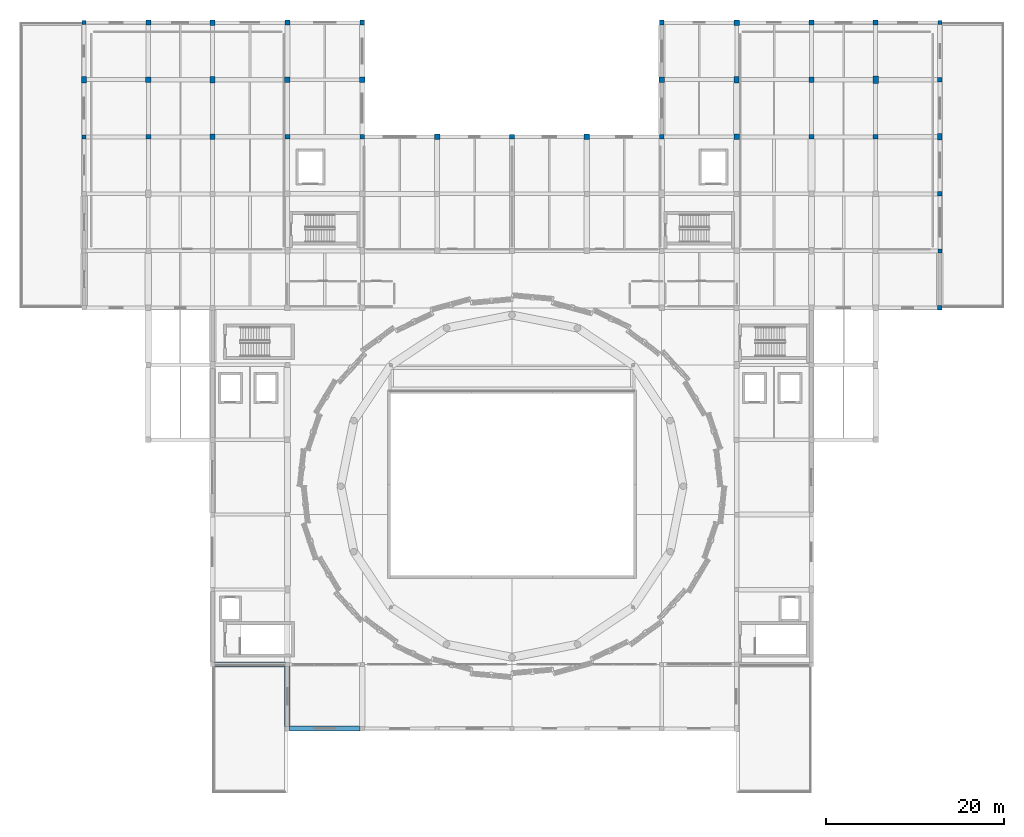
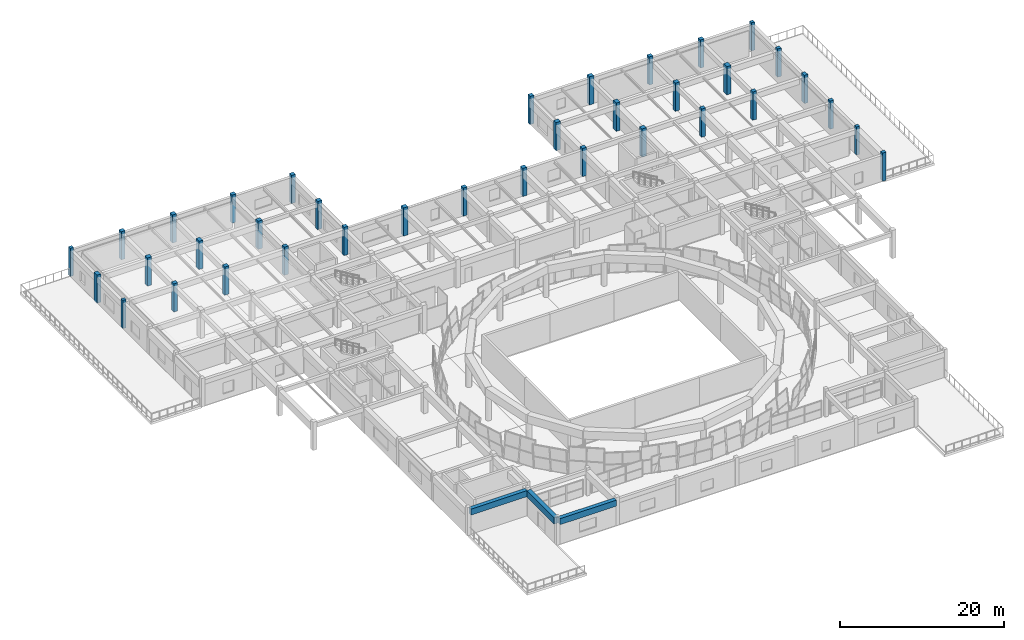
# One storey, part 6 of 40: 36 columns, 3 beams.
"""IFC4 building model written with IfcOpenShell, lengths in metres."""

from ifc_helpers import new_model, si_unit, direction, frame, origin, origin_2d, place, context, subcontext, project, spatial, rectangle, extrude, material, material_profile, profile_set, type_object, element, save


model = new_model("IFC4")

# Units and contexts
model_context = context("Model", 3, precision=1e-05, world=origin(), true_north=direction((0.0, 1.0)))
body_context = subcontext(model_context, "Body", "Model", "MODEL_VIEW")
ifc_project = project(units=[si_unit("LENGTHUNIT", "METRE"), si_unit("AREAUNIT", "SQUARE_METRE"), si_unit("VOLUMEUNIT", "CUBIC_METRE"), si_unit("PLANEANGLEUNIT", "RADIAN"), si_unit("MASSUNIT", "GRAM", prefix="KILO")], contexts=[model_context])

# Site, building, storey
site_placement = place(None, origin())
site = spatial("IfcSite", under=ifc_project, at=site_placement, CompositionType="ELEMENT")
building_placement = place(site_placement, origin())
building = spatial("IfcBuilding", under=site, at=building_placement, Name="Korsvaeld Concert Hall", CompositionType="ELEMENT")
storey_placement = place(building_placement, frame((0.0, 0.0, 13.199951171875)))
storey = spatial("IfcBuildingStorey", under=building, at=storey_placement, Name="L03", CompositionType="ELEMENT", Elevation=13.199951171875)

# Columns
ifc_material = material(Name="Concrete C40/50", Category="concrete")
ifc_material_profile_1 = material_profile(ifc_material, rectangle(XDim=0.449951171875, YDim=0.449951171875, at=origin_2d()), Name="RC 450x450")
ifc_profile_set_1 = profile_set([ifc_material_profile_1], Name="Concrete C40/50")
column_type_1 = type_object("IfcColumnType", Name="COL-RC-450x450", PredefinedType="COLUMN", material=ifc_profile_set_1)
for number, where, z_axis, x_axis, name in (
    (1, (132.0, 89.60009765625, 0.0), (0.0, 0.0, 1.0), (1.0, 0.0, 0.0), "Column 18/N L03"),
    (2, (132.0, 115.199951171875, 0.0), (0.0, 0.0, 1.0), (1.0, 0.0, 0.0), "Column 18/S L03"),
    (3, (36.0, 102.39990234375, 0.0), (0.0, 0.0, 1.0), (1.0, 0.0, 0.0), "Column 6/Q L03"),
    (4, (36.0, 115.199951171875, 0.0), (0.0, 0.0, 1.0), (1.0, 0.0, 0.0), "Column 6/S L03"),
):
    element("IfcColumn", number, at=place(storey_placement, frame(where, z_axis=z_axis, x_axis=x_axis)), inside=storey, type_object=column_type_1, Name=name, PredefinedType="COLUMN", context=body_context, shape_type="SweptSolid", body=[
        extrude(rectangle(XDim=0.449951171875, YDim=0.449951171875, at=origin_2d()), origin(), (0.0, 0.0, 1.0), 4.199951171875),
    ])
ifc_material_profile_2 = material_profile(ifc_material, rectangle(XDim=0.5, YDim=0.5, at=origin_2d()), Name="RC 500x500")
ifc_profile_set_2 = profile_set([ifc_material_profile_2], Name="Concrete C40/50")
column_type_2 = type_object("IfcColumnType", Name="COL-RC-500x500", PredefinedType="COLUMN", material=ifc_profile_set_2)
for number, where, z_axis, x_axis, name in (
    (5, (132.0, 83.199951171875, 0.0), (0.0, 0.0, 1.0), (1.0, 0.0, 0.0), "Column 18/M L03"),
    (6, (132.0, 96.0, 0.0), (0.0, 0.0, 1.0), (1.0, 0.0, 0.0), "Column 18/P L03"),
    (7, (132.0, 108.800048828125, 0.0), (0.0, 0.0, 1.0), (1.0, 0.0, 0.0), "Column 18/R L03"),
):
    element("IfcColumn", number, at=place(storey_placement, frame(where, z_axis=z_axis, x_axis=x_axis)), inside=storey, type_object=column_type_2, Name=name, PredefinedType="COLUMN", context=body_context, shape_type="SweptSolid", body=[
        extrude(rectangle(XDim=0.5, YDim=0.5, at=origin_2d()), origin(), (0.0, 0.0, 1.0), 4.199951171875),
    ])
ifc_material_profile_3 = material_profile(ifc_material, rectangle(XDim=0.5, YDim=0.699951171875, at=origin_2d()), Name="RC 500x700")
ifc_profile_set_3 = profile_set([ifc_material_profile_3], Name="Concrete C40/50")
column_type_3 = type_object("IfcColumnType", Name="COL-RC-500x700", PredefinedType="COLUMN", material=ifc_profile_set_3)
column_1_placement = place(storey_placement, frame((132.0, 102.39990234375, 0.0), z_axis=(0.0, 0.0, 1.0), x_axis=(1.0, 0.0, 0.0)))
element("IfcColumn", 8, at=column_1_placement, inside=storey, type_object=column_type_3, Name="Column 18/Q L03", PredefinedType="COLUMN", context=body_context, shape_type="SweptSolid", body=[
    extrude(rectangle(XDim=0.5, YDim=0.699951171875, at=origin_2d()), origin(), (0.0, 0.0, 1.0), 4.199951171875),
])
ifc_material_profile_4 = material_profile(ifc_material, rectangle(XDim=0.550048828125, YDim=0.550048828125, at=origin_2d()), Name="RC 550x550")
ifc_profile_set_4 = profile_set([ifc_material_profile_4], Name="Concrete C40/50")
column_type_4 = type_object("IfcColumnType", Name="COL-RC-550x550", PredefinedType="COLUMN", material=ifc_profile_set_4)
for number, where, z_axis, x_axis, name in (
    (9, (67.199951171875, 102.39990234375, 0.0), (0.0, 0.0, 1.0), (1.0, 0.0, 0.0), "Column 10/Q L03"),
    (10, (67.199951171875, 115.199951171875, 0.0), (0.0, 0.0, 1.0), (1.0, 0.0, 0.0), "Column 10/S L03"),
    (11, (84.0, 102.39990234375, 0.0), (0.0, 0.0, 1.0), (1.0, 0.0, 0.0), "Column 12/Q L03"),
    (12, (100.800048828125, 102.39990234375, 0.0), (0.0, 0.0, 1.0), (1.0, 0.0, 0.0), "Column 14/Q L03"),
    (13, (100.800048828125, 115.199951171875, 0.0), (0.0, 0.0, 1.0), (1.0, 0.0, 0.0), "Column 14/S L03"),
    (14, (117.60009765625, 102.39990234375, 0.0), (0.0, 0.0, 1.0), (1.0, 0.0, 0.0), "Column 16/Q L03"),
    (15, (117.60009765625, 115.199951171875, 0.0), (0.0, 0.0, 1.0), (1.0, 0.0, 0.0), "Column 16/S L03"),
    (16, (124.800048828125, 102.39990234375, 0.0), (0.0, 0.0, 1.0), (1.0, 0.0, 0.0), "Column 17/Q L03"),
    (17, (124.800048828125, 115.199951171875, 0.0), (0.0, 0.0, 1.0), (1.0, 0.0, 0.0), "Column 17/S L03"),
    (18, (43.199951171875, 102.39990234375, 0.0), (0.0, 0.0, 1.0), (1.0, 0.0, 0.0), "Column 7/Q L03"),
    (19, (43.199951171875, 115.199951171875, 0.0), (0.0, 0.0, 1.0), (1.0, 0.0, 0.0), "Column 7/S L03"),
    (20, (58.800048828125, 102.39990234375, 0.0), (0.0, 0.0, 1.0), (1.0, 0.0, 0.0), "Column 9/Q L03"),
    (21, (58.800048828125, 115.199951171875, 0.0), (0.0, 0.0, 1.0), (1.0, 0.0, 0.0), "Column 9/S L03"),
):
    element("IfcColumn", number, at=place(storey_placement, frame(where, z_axis=z_axis, x_axis=x_axis)), inside=storey, type_object=column_type_4, Name=name, PredefinedType="COLUMN", context=body_context, shape_type="SweptSolid", body=[
        extrude(rectangle(XDim=0.550048828125, YDim=0.550048828125, at=origin_2d()), origin(), (0.0, 0.0, 1.0), 4.199951171875),
    ])
ifc_material_profile_5 = material_profile(ifc_material, rectangle(XDim=0.550048828125, YDim=0.75, at=origin_2d()), Name="RC 550x750")
ifc_profile_set_5 = profile_set([ifc_material_profile_5], Name="Concrete C40/50")
column_type_5 = type_object("IfcColumnType", Name="COL-RC-550x750", PredefinedType="COLUMN", material=ifc_profile_set_5)
for number, where, z_axis, x_axis, name in (
    (22, (109.199951171875, 108.800048828125, 0.0), (0.0, 0.0, 1.0), (1.0, 0.0, 0.0), "Column 15/R L03"),
    (23, (36.0, 108.800048828125, 0.0), (0.0, 0.0, 1.0), (1.0, 0.0, 0.0), "Column 6/R L03"),
    (24, (50.39990234375, 108.800048828125, 0.0), (0.0, 0.0, 1.0), (1.0, 0.0, 0.0), "Column 8/R L03"),
):
    element("IfcColumn", number, at=place(storey_placement, frame(where, z_axis=z_axis, x_axis=x_axis)), inside=storey, type_object=column_type_5, Name=name, PredefinedType="COLUMN", context=body_context, shape_type="SweptSolid", body=[
        extrude(rectangle(XDim=0.550048828125, YDim=0.75, at=origin_2d()), origin(), (0.0, 0.0, 1.0), 4.199951171875),
    ])
ifc_material_profile_6 = material_profile(ifc_material, rectangle(XDim=0.60009765625, YDim=0.60009765625, at=origin_2d()), Name="RC 600x600")
ifc_profile_set_6 = profile_set([ifc_material_profile_6], Name="Concrete C40/50")
column_type_6 = type_object("IfcColumnType", Name="COL-RC-600x600", PredefinedType="COLUMN", material=ifc_profile_set_6)
for number, where, z_axis, x_axis, name in (
    (25, (67.199951171875, 108.800048828125, 0.0), (0.0, 0.0, 1.0), (1.0, 0.0, 0.0), "Column 10/R L03"),
    (26, (75.60009765625, 102.39990234375, 0.0), (0.0, 0.0, 1.0), (1.0, 0.0, 0.0), "Column 11/Q L03"),
    (27, (92.39990234375, 102.39990234375, 0.0), (0.0, 0.0, 1.0), (1.0, 0.0, 0.0), "Column 13/Q L03"),
    (28, (100.800048828125, 108.800048828125, 0.0), (0.0, 0.0, 1.0), (1.0, 0.0, 0.0), "Column 14/R L03"),
    (29, (109.199951171875, 102.39990234375, 0.0), (0.0, 0.0, 1.0), (1.0, 0.0, 0.0), "Column 15/Q L03"),
    (30, (109.199951171875, 115.199951171875, 0.0), (0.0, 0.0, 1.0), (1.0, 0.0, 0.0), "Column 15/S L03"),
    (31, (117.60009765625, 108.800048828125, 0.0), (0.0, 0.0, 1.0), (1.0, 0.0, 0.0), "Column 16/R L03"),
    (32, (43.199951171875, 108.800048828125, 0.0), (0.0, 0.0, 1.0), (1.0, 0.0, 0.0), "Column 7/R L03"),
    (33, (50.39990234375, 102.39990234375, 0.0), (0.0, 0.0, 1.0), (1.0, 0.0, 0.0), "Column 8/Q L03"),
    (34, (50.39990234375, 115.199951171875, 0.0), (0.0, 0.0, 1.0), (1.0, 0.0, 0.0), "Column 8/S L03"),
    (35, (58.800048828125, 108.800048828125, 0.0), (0.0, 0.0, 1.0), (1.0, 0.0, 0.0), "Column 9/R L03"),
):
    element("IfcColumn", number, at=place(storey_placement, frame(where, z_axis=z_axis, x_axis=x_axis)), inside=storey, type_object=column_type_6, Name=name, PredefinedType="COLUMN", context=body_context, shape_type="SweptSolid", body=[
        extrude(rectangle(XDim=0.60009765625, YDim=0.60009765625, at=origin_2d()), origin(), (0.0, 0.0, 1.0), 4.199951171875),
    ])
ifc_material_profile_7 = material_profile(ifc_material, rectangle(XDim=0.60009765625, YDim=0.800048828125, at=origin_2d()), Name="RC 600x800")
ifc_profile_set_7 = profile_set([ifc_material_profile_7], Name="Concrete C40/50")
column_type_7 = type_object("IfcColumnType", Name="COL-RC-600x800", PredefinedType="COLUMN", material=ifc_profile_set_7)
column_2_placement = place(storey_placement, frame((124.800048828125, 108.800048828125, 0.0), z_axis=(0.0, 0.0, 1.0), x_axis=(1.0, 0.0, 0.0)))
element("IfcColumn", 36, at=column_2_placement, inside=storey, type_object=column_type_7, Name="Column 17/R L03", PredefinedType="COLUMN", context=body_context, shape_type="SweptSolid", body=[
    extrude(rectangle(XDim=0.60009765625, YDim=0.800048828125, at=origin_2d()), origin(), (0.0, 0.0, 1.0), 4.199951171875),
])

# Beams
ifc_material_profile_8 = material_profile(ifc_material, rectangle(XDim=0.550048828125, YDim=0.89990234375, at=origin_2d()), Name="RC 550x900")
ifc_profile_set_8 = profile_set([ifc_material_profile_8], Name="Concrete C40/50")
beam_type_1 = type_object("IfcBeamType", Name="BM-RC-550x900", PredefinedType="T_BEAM", material=ifc_profile_set_8)
beam_1_placement = place(storey_placement, frame((59.050048828125, 36.0, 3.39013671875), z_axis=(1.0, 0.0, 0.0), x_axis=(0.0, 1.0, 0.0)))
element("IfcBeam", 37, at=beam_1_placement, inside=storey, type_object=beam_type_1, Name="Primary girder 9-10/F L03", PredefinedType="T_BEAM", context=body_context, shape_type="SweptSolid", body=[
    extrude(rectangle(XDim=0.550048828125, YDim=0.89990234375, at=origin_2d()), origin(), (0.0, 0.0, 1.0), 7.89990234375),
])
beam_2_placement = place(storey_placement, frame((50.64990234375, 43.199951171875, 3.39013671875), z_axis=(1.0, 0.0, 0.0), x_axis=(0.0, 1.0, 0.0)))
element("IfcBeam", 38, at=beam_2_placement, inside=storey, type_object=beam_type_1, Name="Primary girder 8-9/G L03", PredefinedType="T_BEAM", context=body_context, shape_type="SweptSolid", body=[
    extrude(rectangle(XDim=0.550048828125, YDim=0.89990234375, at=origin_2d()), origin(), (0.0, 0.0, 1.0), 7.925048828125),
])
ifc_material_profile_9 = material_profile(ifc_material, rectangle(XDim=0.60009765625, YDim=0.949951171875, at=origin_2d()), Name="RC 600x950")
ifc_profile_set_9 = profile_set([ifc_material_profile_9], Name="Concrete C40/50")
beam_type_2 = type_object("IfcBeamType", Name="BM-RC-600x950", PredefinedType="T_BEAM", material=ifc_profile_set_9)
beam_3_placement = place(storey_placement, frame((58.800048828125, 36.25, 3.364990234375), z_axis=(0.0, 1.0, 0.0), x_axis=(-1.0, 0.0, 0.0)))
element("IfcBeam", 39, at=beam_3_placement, inside=storey, type_object=beam_type_2, Name="Primary girder 9/F-G L03", PredefinedType="T_BEAM", context=body_context, shape_type="SweptSolid", body=[
    extrude(rectangle(XDim=0.60009765625, YDim=0.949951171875, at=origin_2d()), origin(), (0.0, 0.0, 1.0), 6.72509765625),
])

save(model, "model.ifc")
